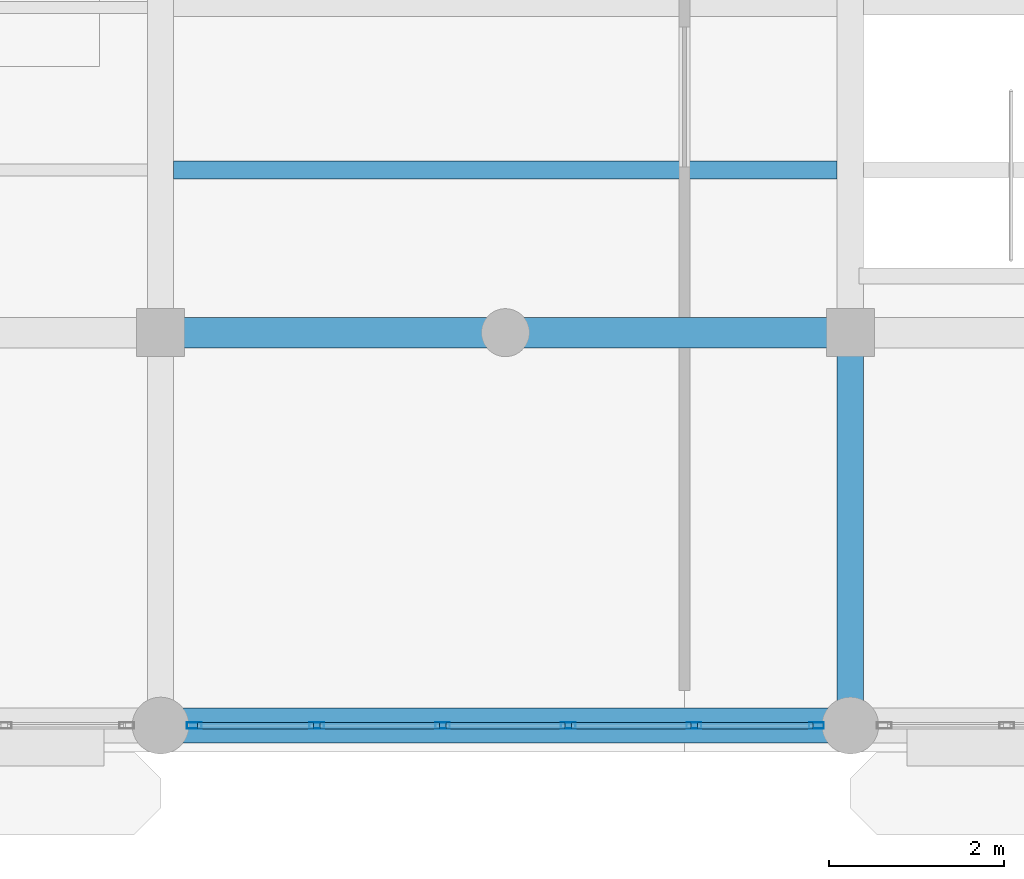
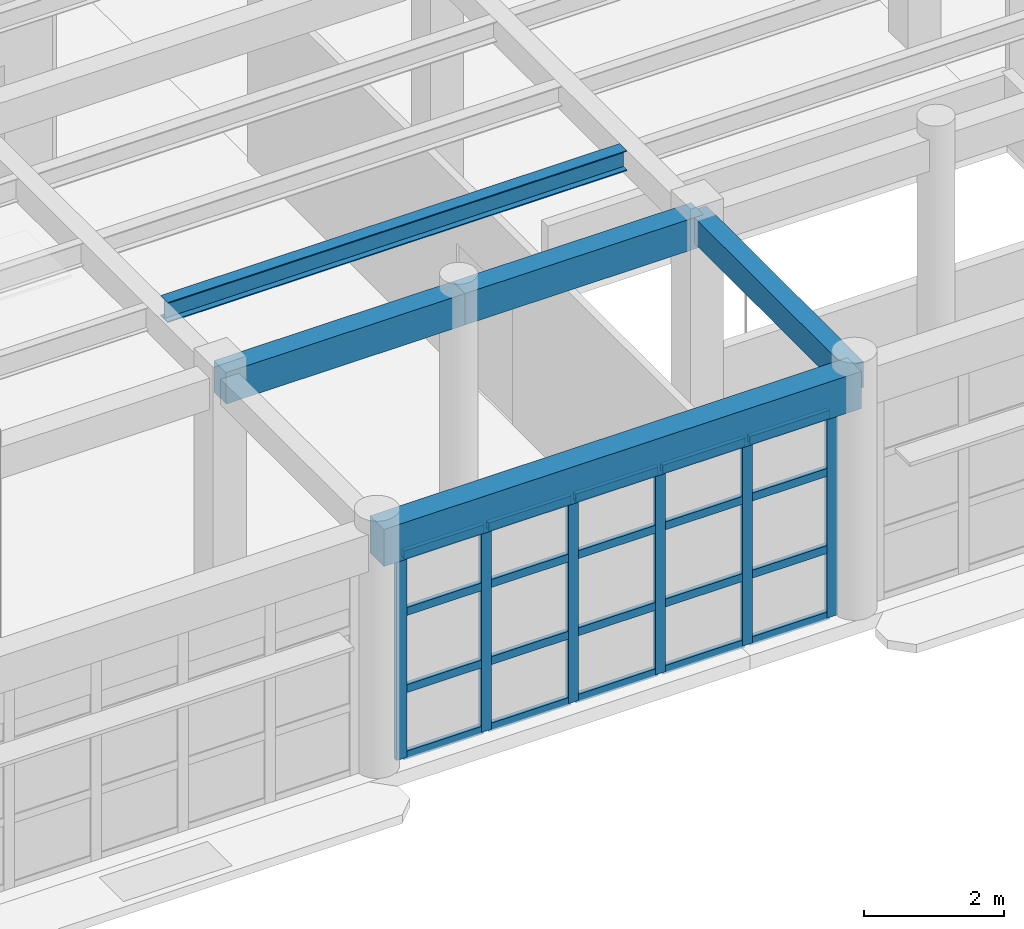
# One storey, part 4 of 85: 26 members, 5 beams, 1 element without a shape of its own.
"""IFC4 building model written with IfcOpenShell, lengths in metres."""

from ifc_helpers import new_model, si_unit, direction, frame, origin, origin_2d, place, context, subcontext, project, spatial, rectangle, hollow_rectangle, i_section, extrude, material, layer, layer_set, material_profile, profile_set, type_object, element, aggregate, save


model = new_model("IFC4")

# Units and contexts
model_context = context("Model", 3, precision=1e-05, world=origin(), true_north=direction((0.0, 1.0)))
body_context = subcontext(model_context, "Body", "Model", "MODEL_VIEW")
ifc_project = project(units=[si_unit("LENGTHUNIT", "METRE"), si_unit("AREAUNIT", "SQUARE_METRE"), si_unit("VOLUMEUNIT", "CUBIC_METRE"), si_unit("PLANEANGLEUNIT", "RADIAN"), si_unit("MASSUNIT", "GRAM", prefix="KILO")], contexts=[model_context])

# Site, building, storey
site_placement = place(None, origin())
site = spatial("IfcSite", under=ifc_project, at=site_placement, CompositionType="ELEMENT")
building_placement = place(site_placement, origin())
building = spatial("IfcBuilding", under=site, at=building_placement, Name="Candilejo Ridge Gondola Terminal", CompositionType="ELEMENT")
storey_placement = place(building_placement, frame((0.0, 0.0, 4.5)))
storey = spatial("IfcBuildingStorey", under=building, at=storey_placement, Name="L01", CompositionType="ELEMENT", Elevation=4.5)

# Curtain wall, members
ifc_material_1 = material(Name="Anodised aluminium AA 6063-T6", Category="aluminium")
ifc_layer = layer(ifc_material_1, 0.169921875)
ifc_layer_set = layer_set([ifc_layer], Name="ARC-CW-CONCOURSE-3600-720X359")
curtain_wall_type = type_object("IfcCurtainWallType", Name="ARC-CW-CONCOURSE-3600-720X359", PredefinedType="NOTDEFINED", material=ifc_layer_set)
curtain_wall_placement = place(storey_placement, origin())
curtain_wall = element("IfcCurtainWall", 1, at=curtain_wall_placement, inside=storey, type_object=curtain_wall_type, Name="Curtain wall V1 L01-005", PredefinedType="NOTDEFINED")
ifc_material_2 = material(Name="Anodised aluminium AA 6063-T6", Category="aluminium")
ifc_material_profile_1 = material_profile(ifc_material_2, hollow_rectangle(XDim=0.074951171875, YDim=0.169921875, WallThickness=0.00390625, at=origin_2d()))
ifc_profile_set_1 = profile_set([ifc_material_profile_1], Name="Anodised aluminium AA 6063-T6")
member_type_1 = type_object("IfcMemberType", Name="ARC-CW-MULLION", PredefinedType="MULLION", material=ifc_profile_set_1)
member_1_placement = place(storey_placement, frame((12.58740234375, 6.300048828125, 0.0), z_axis=(0.0, 0.0, 1.0), x_axis=(0.0, 1.0, 0.0)))
member_1 = element("IfcMember", 2, at=member_1_placement, type_object=member_type_1, Name="CW-72X35 mullion 1", PredefinedType="MULLION", context=body_context, shape_type="SweptSolid", body=[
    extrude(hollow_rectangle(XDim=0.074951171875, YDim=0.169921875, WallThickness=0.00390625, at=origin_2d()), origin(), (0.0, 0.0, 1.0), 3.590087890625),
])
member_2_placement = place(storey_placement, frame((13.989990234375, 6.300048828125, 0.0), z_axis=(0.0, 0.0, 1.0), x_axis=(0.0, 1.0, 0.0)))
member_2 = element("IfcMember", 3, at=member_2_placement, type_object=member_type_1, Name="CW-72X35 mullion 2", PredefinedType="MULLION", context=body_context, shape_type="SweptSolid", body=[
    extrude(hollow_rectangle(XDim=0.074951171875, YDim=0.169921875, WallThickness=0.00390625, at=origin_2d()), origin(), (0.0, 0.0, 1.0), 3.590087890625),
])
member_3_placement = place(storey_placement, frame((15.429931640625, 6.300048828125, 0.0), z_axis=(0.0, 0.0, 1.0), x_axis=(0.0, 1.0, 0.0)))
member_3 = element("IfcMember", 4, at=member_3_placement, type_object=member_type_1, Name="CW-72X35 mullion 3", PredefinedType="MULLION", context=body_context, shape_type="SweptSolid", body=[
    extrude(hollow_rectangle(XDim=0.074951171875, YDim=0.169921875, WallThickness=0.00390625, at=origin_2d()), origin(), (0.0, 0.0, 1.0), 3.590087890625),
])
member_4_placement = place(storey_placement, frame((16.8701171875, 6.300048828125, 0.0), z_axis=(0.0, 0.0, 1.0), x_axis=(0.0, 1.0, 0.0)))
member_4 = element("IfcMember", 5, at=member_4_placement, type_object=member_type_1, Name="CW-72X35 mullion 4", PredefinedType="MULLION", context=body_context, shape_type="SweptSolid", body=[
    extrude(hollow_rectangle(XDim=0.074951171875, YDim=0.169921875, WallThickness=0.00390625, at=origin_2d()), origin(), (0.0, 0.0, 1.0), 3.590087890625),
])
member_5_placement = place(storey_placement, frame((18.31005859375, 6.300048828125, 0.0), z_axis=(0.0, 0.0, 1.0), x_axis=(0.0, 1.0, 0.0)))
member_5 = element("IfcMember", 6, at=member_5_placement, type_object=member_type_1, Name="CW-72X35 mullion 5", PredefinedType="MULLION", context=body_context, shape_type="SweptSolid", body=[
    extrude(hollow_rectangle(XDim=0.074951171875, YDim=0.169921875, WallThickness=0.00390625, at=origin_2d()), origin(), (0.0, 0.0, 1.0), 3.590087890625),
])
member_6_placement = place(storey_placement, frame((19.71240234375, 6.300048828125, 0.0), z_axis=(0.0, 0.0, 1.0), x_axis=(0.0, 1.0, 0.0)))
member_6 = element("IfcMember", 7, at=member_6_placement, type_object=member_type_1, Name="CW-72X35 mullion 6", PredefinedType="MULLION", context=body_context, shape_type="SweptSolid", body=[
    extrude(hollow_rectangle(XDim=0.074951171875, YDim=0.169921875, WallThickness=0.00390625, at=origin_2d()), origin(), (0.0, 0.0, 1.0), 3.590087890625),
])
ifc_material_3 = material(Name="Anodised aluminium AA 6063-T6", Category="aluminium")
ifc_material_profile_2 = material_profile(ifc_material_3, hollow_rectangle(XDim=0.074951171875, YDim=0.139892578125, WallThickness=0.00390625, at=origin_2d()))
ifc_profile_set_2 = profile_set([ifc_material_profile_2], Name="Anodised aluminium AA 6063-T6")
member_type_2 = type_object("IfcMemberType", Name="ARC-CW-TRANSOM", PredefinedType="USERDEFINED", material=ifc_profile_set_2)
member_7_placement = place(storey_placement, frame((12.625, 6.300048828125, 0.03759765625), z_axis=(1.0, 0.0, 0.0), x_axis=(0.0, 1.0, 0.0)))
member_7 = element("IfcMember", 8, at=member_7_placement, type_object=member_type_2, Name="CW-72X35 transom 1.1", ObjectType="TRANSOM", PredefinedType="USERDEFINED", context=body_context, shape_type="SweptSolid", body=[
    extrude(hollow_rectangle(XDim=0.074951171875, YDim=0.139892578125, WallThickness=0.00390625, at=origin_2d()), origin(), (0.0, 0.0, 1.0), 1.327392578125),
])
member_8_placement = place(storey_placement, frame((12.625, 6.300048828125, 1.199951171875), z_axis=(1.0, 0.0, 0.0), x_axis=(0.0, 1.0, 0.0)))
member_8 = element("IfcMember", 9, at=member_8_placement, type_object=member_type_2, Name="CW-72X35 transom 1.2", ObjectType="TRANSOM", PredefinedType="USERDEFINED", context=body_context, shape_type="SweptSolid", body=[
    extrude(hollow_rectangle(XDim=0.074951171875, YDim=0.139892578125, WallThickness=0.00390625, at=origin_2d()), origin(), (0.0, 0.0, 1.0), 1.327392578125),
])
member_9_placement = place(storey_placement, frame((12.625, 6.300048828125, 2.550048828125), z_axis=(1.0, 0.0, 0.0), x_axis=(0.0, 1.0, 0.0)))
member_9 = element("IfcMember", 10, at=member_9_placement, type_object=member_type_2, Name="CW-72X35 transom 1.3", ObjectType="TRANSOM", PredefinedType="USERDEFINED", context=body_context, shape_type="SweptSolid", body=[
    extrude(hollow_rectangle(XDim=0.074951171875, YDim=0.139892578125, WallThickness=0.00390625, at=origin_2d()), origin(), (0.0, 0.0, 1.0), 1.327392578125),
])
member_10_placement = place(storey_placement, frame((12.625, 6.300048828125, 3.552490234375), z_axis=(1.0, 0.0, 0.0), x_axis=(0.0, 1.0, 0.0)))
member_10 = element("IfcMember", 11, at=member_10_placement, type_object=member_type_2, Name="CW-72X35 transom 1.4", ObjectType="TRANSOM", PredefinedType="USERDEFINED", context=body_context, shape_type="SweptSolid", body=[
    extrude(hollow_rectangle(XDim=0.074951171875, YDim=0.139892578125, WallThickness=0.00390625, at=origin_2d()), origin(), (0.0, 0.0, 1.0), 1.327392578125),
])
member_11_placement = place(storey_placement, frame((14.027587890625, 6.300048828125, 0.03759765625), z_axis=(1.0, 0.0, 0.0), x_axis=(0.0, 1.0, 0.0)))
member_11 = element("IfcMember", 12, at=member_11_placement, type_object=member_type_2, Name="CW-72X35 transom 2.1", ObjectType="TRANSOM", PredefinedType="USERDEFINED", context=body_context, shape_type="SweptSolid", body=[
    extrude(hollow_rectangle(XDim=0.074951171875, YDim=0.139892578125, WallThickness=0.00390625, at=origin_2d()), origin(), (0.0, 0.0, 1.0), 1.364990234375),
])
member_12_placement = place(storey_placement, frame((14.027587890625, 6.300048828125, 1.199951171875), z_axis=(1.0, 0.0, 0.0), x_axis=(0.0, 1.0, 0.0)))
member_12 = element("IfcMember", 13, at=member_12_placement, type_object=member_type_2, Name="CW-72X35 transom 2.2", ObjectType="TRANSOM", PredefinedType="USERDEFINED", context=body_context, shape_type="SweptSolid", body=[
    extrude(hollow_rectangle(XDim=0.074951171875, YDim=0.139892578125, WallThickness=0.00390625, at=origin_2d()), origin(), (0.0, 0.0, 1.0), 1.364990234375),
])
member_13_placement = place(storey_placement, frame((14.027587890625, 6.300048828125, 2.550048828125), z_axis=(1.0, 0.0, 0.0), x_axis=(0.0, 1.0, 0.0)))
member_13 = element("IfcMember", 14, at=member_13_placement, type_object=member_type_2, Name="CW-72X35 transom 2.3", ObjectType="TRANSOM", PredefinedType="USERDEFINED", context=body_context, shape_type="SweptSolid", body=[
    extrude(hollow_rectangle(XDim=0.074951171875, YDim=0.139892578125, WallThickness=0.00390625, at=origin_2d()), origin(), (0.0, 0.0, 1.0), 1.364990234375),
])
member_14_placement = place(storey_placement, frame((14.027587890625, 6.300048828125, 3.552490234375), z_axis=(1.0, 0.0, 0.0), x_axis=(0.0, 1.0, 0.0)))
member_14 = element("IfcMember", 15, at=member_14_placement, type_object=member_type_2, Name="CW-72X35 transom 2.4", ObjectType="TRANSOM", PredefinedType="USERDEFINED", context=body_context, shape_type="SweptSolid", body=[
    extrude(hollow_rectangle(XDim=0.074951171875, YDim=0.139892578125, WallThickness=0.00390625, at=origin_2d()), origin(), (0.0, 0.0, 1.0), 1.364990234375),
])
member_15_placement = place(storey_placement, frame((15.467529296875, 6.300048828125, 0.03759765625), z_axis=(1.0, 0.0, 0.0), x_axis=(0.0, 1.0, 0.0)))
member_15 = element("IfcMember", 16, at=member_15_placement, type_object=member_type_2, Name="CW-72X35 transom 3.1", ObjectType="TRANSOM", PredefinedType="USERDEFINED", context=body_context, shape_type="SweptSolid", body=[
    extrude(hollow_rectangle(XDim=0.074951171875, YDim=0.139892578125, WallThickness=0.00390625, at=origin_2d()), origin(), (0.0, 0.0, 1.0), 1.364990234375),
])
member_16_placement = place(storey_placement, frame((15.467529296875, 6.300048828125, 1.199951171875), z_axis=(1.0, 0.0, 0.0), x_axis=(0.0, 1.0, 0.0)))
member_16 = element("IfcMember", 17, at=member_16_placement, type_object=member_type_2, Name="CW-72X35 transom 3.2", ObjectType="TRANSOM", PredefinedType="USERDEFINED", context=body_context, shape_type="SweptSolid", body=[
    extrude(hollow_rectangle(XDim=0.074951171875, YDim=0.139892578125, WallThickness=0.00390625, at=origin_2d()), origin(), (0.0, 0.0, 1.0), 1.364990234375),
])
member_17_placement = place(storey_placement, frame((15.467529296875, 6.300048828125, 2.550048828125), z_axis=(1.0, 0.0, 0.0), x_axis=(0.0, 1.0, 0.0)))
member_17 = element("IfcMember", 18, at=member_17_placement, type_object=member_type_2, Name="CW-72X35 transom 3.3", ObjectType="TRANSOM", PredefinedType="USERDEFINED", context=body_context, shape_type="SweptSolid", body=[
    extrude(hollow_rectangle(XDim=0.074951171875, YDim=0.139892578125, WallThickness=0.00390625, at=origin_2d()), origin(), (0.0, 0.0, 1.0), 1.364990234375),
])
member_18_placement = place(storey_placement, frame((15.467529296875, 6.300048828125, 3.552490234375), z_axis=(1.0, 0.0, 0.0), x_axis=(0.0, 1.0, 0.0)))
member_18 = element("IfcMember", 19, at=member_18_placement, type_object=member_type_2, Name="CW-72X35 transom 3.4", ObjectType="TRANSOM", PredefinedType="USERDEFINED", context=body_context, shape_type="SweptSolid", body=[
    extrude(hollow_rectangle(XDim=0.074951171875, YDim=0.139892578125, WallThickness=0.00390625, at=origin_2d()), origin(), (0.0, 0.0, 1.0), 1.364990234375),
])
member_19_placement = place(storey_placement, frame((16.907470703125, 6.300048828125, 0.03759765625), z_axis=(1.0, 0.0, 0.0), x_axis=(0.0, 1.0, 0.0)))
member_19 = element("IfcMember", 20, at=member_19_placement, type_object=member_type_2, Name="CW-72X35 transom 4.1", ObjectType="TRANSOM", PredefinedType="USERDEFINED", context=body_context, shape_type="SweptSolid", body=[
    extrude(hollow_rectangle(XDim=0.074951171875, YDim=0.139892578125, WallThickness=0.00390625, at=origin_2d()), origin(), (0.0, 0.0, 1.0), 1.364990234375),
])
member_20_placement = place(storey_placement, frame((16.907470703125, 6.300048828125, 1.199951171875), z_axis=(1.0, 0.0, 0.0), x_axis=(0.0, 1.0, 0.0)))
member_20 = element("IfcMember", 21, at=member_20_placement, type_object=member_type_2, Name="CW-72X35 transom 4.2", ObjectType="TRANSOM", PredefinedType="USERDEFINED", context=body_context, shape_type="SweptSolid", body=[
    extrude(hollow_rectangle(XDim=0.074951171875, YDim=0.139892578125, WallThickness=0.00390625, at=origin_2d()), origin(), (0.0, 0.0, 1.0), 1.364990234375),
])
member_21_placement = place(storey_placement, frame((16.907470703125, 6.300048828125, 2.550048828125), z_axis=(1.0, 0.0, 0.0), x_axis=(0.0, 1.0, 0.0)))
member_21 = element("IfcMember", 22, at=member_21_placement, type_object=member_type_2, Name="CW-72X35 transom 4.3", ObjectType="TRANSOM", PredefinedType="USERDEFINED", context=body_context, shape_type="SweptSolid", body=[
    extrude(hollow_rectangle(XDim=0.074951171875, YDim=0.139892578125, WallThickness=0.00390625, at=origin_2d()), origin(), (0.0, 0.0, 1.0), 1.364990234375),
])
member_22_placement = place(storey_placement, frame((16.907470703125, 6.300048828125, 3.552490234375), z_axis=(1.0, 0.0, 0.0), x_axis=(0.0, 1.0, 0.0)))
member_22 = element("IfcMember", 23, at=member_22_placement, type_object=member_type_2, Name="CW-72X35 transom 4.4", ObjectType="TRANSOM", PredefinedType="USERDEFINED", context=body_context, shape_type="SweptSolid", body=[
    extrude(hollow_rectangle(XDim=0.074951171875, YDim=0.139892578125, WallThickness=0.00390625, at=origin_2d()), origin(), (0.0, 0.0, 1.0), 1.364990234375),
])
member_23_placement = place(storey_placement, frame((18.347412109375, 6.300048828125, 0.03759765625), z_axis=(1.0, 0.0, 0.0), x_axis=(0.0, 1.0, 0.0)))
member_23 = element("IfcMember", 24, at=member_23_placement, type_object=member_type_2, Name="CW-72X35 transom 5.1", ObjectType="TRANSOM", PredefinedType="USERDEFINED", context=body_context, shape_type="SweptSolid", body=[
    extrude(hollow_rectangle(XDim=0.074951171875, YDim=0.139892578125, WallThickness=0.00390625, at=origin_2d()), origin(), (0.0, 0.0, 1.0), 1.32763671875),
])
member_24_placement = place(storey_placement, frame((18.347412109375, 6.300048828125, 1.199951171875), z_axis=(1.0, 0.0, 0.0), x_axis=(0.0, 1.0, 0.0)))
member_24 = element("IfcMember", 25, at=member_24_placement, type_object=member_type_2, Name="CW-72X35 transom 5.2", ObjectType="TRANSOM", PredefinedType="USERDEFINED", context=body_context, shape_type="SweptSolid", body=[
    extrude(hollow_rectangle(XDim=0.074951171875, YDim=0.139892578125, WallThickness=0.00390625, at=origin_2d()), origin(), (0.0, 0.0, 1.0), 1.32763671875),
])
member_25_placement = place(storey_placement, frame((18.347412109375, 6.300048828125, 2.550048828125), z_axis=(1.0, 0.0, 0.0), x_axis=(0.0, 1.0, 0.0)))
member_25 = element("IfcMember", 26, at=member_25_placement, type_object=member_type_2, Name="CW-72X35 transom 5.3", ObjectType="TRANSOM", PredefinedType="USERDEFINED", context=body_context, shape_type="SweptSolid", body=[
    extrude(hollow_rectangle(XDim=0.074951171875, YDim=0.139892578125, WallThickness=0.00390625, at=origin_2d()), origin(), (0.0, 0.0, 1.0), 1.32763671875),
])
member_26_placement = place(storey_placement, frame((18.347412109375, 6.300048828125, 3.552490234375), z_axis=(1.0, 0.0, 0.0), x_axis=(0.0, 1.0, 0.0)))
member_26 = element("IfcMember", 27, at=member_26_placement, type_object=member_type_2, Name="CW-72X35 transom 5.4", ObjectType="TRANSOM", PredefinedType="USERDEFINED", context=body_context, shape_type="SweptSolid", body=[
    extrude(hollow_rectangle(XDim=0.074951171875, YDim=0.139892578125, WallThickness=0.00390625, at=origin_2d()), origin(), (0.0, 0.0, 1.0), 1.32763671875),
])
aggregate(curtain_wall, [member_1, member_2, member_3, member_4, member_5, member_6, member_7, member_8, member_9, member_10, member_11, member_12, member_13, member_14, member_15, member_16, member_17, member_18, member_19, member_20, member_21, member_22, member_23, member_24, member_25, member_26])

# Beams
ifc_material_4 = material(Name="Concrete f'c 35 MPa (C35/45)", Category="concrete")
ifc_material_profile_3 = material_profile(ifc_material_4, rectangle(XDim=0.300048828125, YDim=0.449951171875, at=origin_2d()))
ifc_profile_set_3 = profile_set([ifc_material_profile_3], Name="Concrete f'c 35 MPa (C35/45)")
beam_type_1 = type_object("IfcBeamType", Name="STR-BM-RC300X450", PredefinedType="BEAM", material=ifc_profile_set_3)
beam_1_placement = place(storey_placement, frame((20.10009765625, 6.300048828125, 4.02490234375), z_axis=(0.0, 1.0, 0.0), x_axis=(-1.0, 0.0, 0.0)))
element("IfcBeam", 28, at=beam_1_placement, inside=storey, type_object=beam_type_1, Name="Beam Y V1 L01 Y01-Y02@X03", PredefinedType="BEAM", context=body_context, shape_type="SweptSolid", body=[
    extrude(rectangle(XDim=0.300048828125, YDim=0.449951171875, at=origin_2d()), origin(), (0.0, 0.0, 1.0), 4.5),
])
ifc_material_5 = material(Name="Concrete f'c 35 MPa (C35/45)", Category="concrete")
ifc_material_profile_4 = material_profile(ifc_material_5, rectangle(XDim=0.35009765625, YDim=0.550048828125, at=origin_2d()))
ifc_profile_set_4 = profile_set([ifc_material_profile_4], Name="Concrete f'c 35 MPa (C35/45)")
beam_type_2 = type_object("IfcBeamType", Name="STR-BM-RC350X550", PredefinedType="BEAM", material=ifc_profile_set_4)
beam_2_placement = place(storey_placement, frame((12.199951171875, 10.800048828125, 3.97509765625), z_axis=(1.0, 0.0, 0.0), x_axis=(0.0, 1.0, 0.0)))
element("IfcBeam", 29, at=beam_2_placement, inside=storey, type_object=beam_type_2, Name="Beam X V1 L01 X02-X03@Y02", PredefinedType="BEAM", context=body_context, shape_type="SweptSolid", body=[
    extrude(rectangle(XDim=0.35009765625, YDim=0.550048828125, at=origin_2d()), origin(), (0.0, 0.0, 1.0), 3.949951171875),
])
beam_3_placement = place(storey_placement, frame((16.14990234375, 10.800048828125, 3.97509765625), z_axis=(1.0, 0.0, 0.0), x_axis=(0.0, 1.0, 0.0)))
element("IfcBeam", 30, at=beam_3_placement, inside=storey, type_object=beam_type_2, Name="Beam X V1 L01 X02-X03@Y02", PredefinedType="BEAM", context=body_context, shape_type="SweptSolid", body=[
    extrude(rectangle(XDim=0.35009765625, YDim=0.550048828125, at=origin_2d()), origin(), (0.0, 0.0, 1.0), 3.9501953125),
])
ifc_material_6 = material(Name="Steel ASTM A992 Grade 50", Category="steel")
ifc_material_profile_5 = material_profile(ifc_material_6, i_section(OverallWidth=0.205078125, OverallDepth=0.35400390625, WebThickness=0.009521484375, FlangeThickness=0.016845703125, at=origin_2d()))
ifc_profile_set_5 = profile_set([ifc_material_profile_5], Name="Steel ASTM A992 Grade 50")
beam_type_3 = type_object("IfcBeamType", Name="STR-JST-W360X79", PredefinedType="JOIST", material=ifc_profile_set_5)
beam_4_placement = place(storey_placement, frame((12.35009765625, 12.66259765625, 4.072998046875), z_axis=(1.0, 0.0, 0.0), x_axis=(0.0, 1.0, 0.0)))
element("IfcBeam", 31, at=beam_4_placement, inside=storey, type_object=beam_type_3, Name="Composite joist V1 L01-0121", PredefinedType="JOIST", context=body_context, shape_type="SweptSolid", body=[
    extrude(i_section(OverallWidth=0.205078125, OverallDepth=0.35400390625, WebThickness=0.009521484375, FlangeThickness=0.016845703125, at=origin_2d()), origin(), (0.0, 0.0, 1.0), 7.599853515625),
])
ifc_material_7 = material(Name="Concrete f'c 35 MPa (C35/45)", Category="concrete")
ifc_material_profile_6 = material_profile(ifc_material_7, rectangle(XDim=0.39990234375, YDim=0.64990234375, at=origin_2d()))
ifc_profile_set_6 = profile_set([ifc_material_profile_6], Name="Concrete f'c 35 MPa (C35/45)")
beam_type_4 = type_object("IfcBeamType", Name="STR-SPN-RC400X650", PredefinedType="SPANDREL", material=ifc_profile_set_6)
beam_5_placement = place(storey_placement, frame((12.199951171875, 6.300048828125, 3.925048828125), z_axis=(1.0, 0.0, 0.0), x_axis=(0.0, 1.0, 0.0)))
element("IfcBeam", 32, at=beam_5_placement, inside=storey, type_object=beam_type_4, Name="Beam X V1 L01 X02-X03@Y01", PredefinedType="SPANDREL", context=body_context, shape_type="SweptSolid", body=[
    extrude(rectangle(XDim=0.39990234375, YDim=0.64990234375, at=origin_2d()), origin(), (0.0, 0.0, 1.0), 7.900146484375),
])

save(model, "model.ifc")
